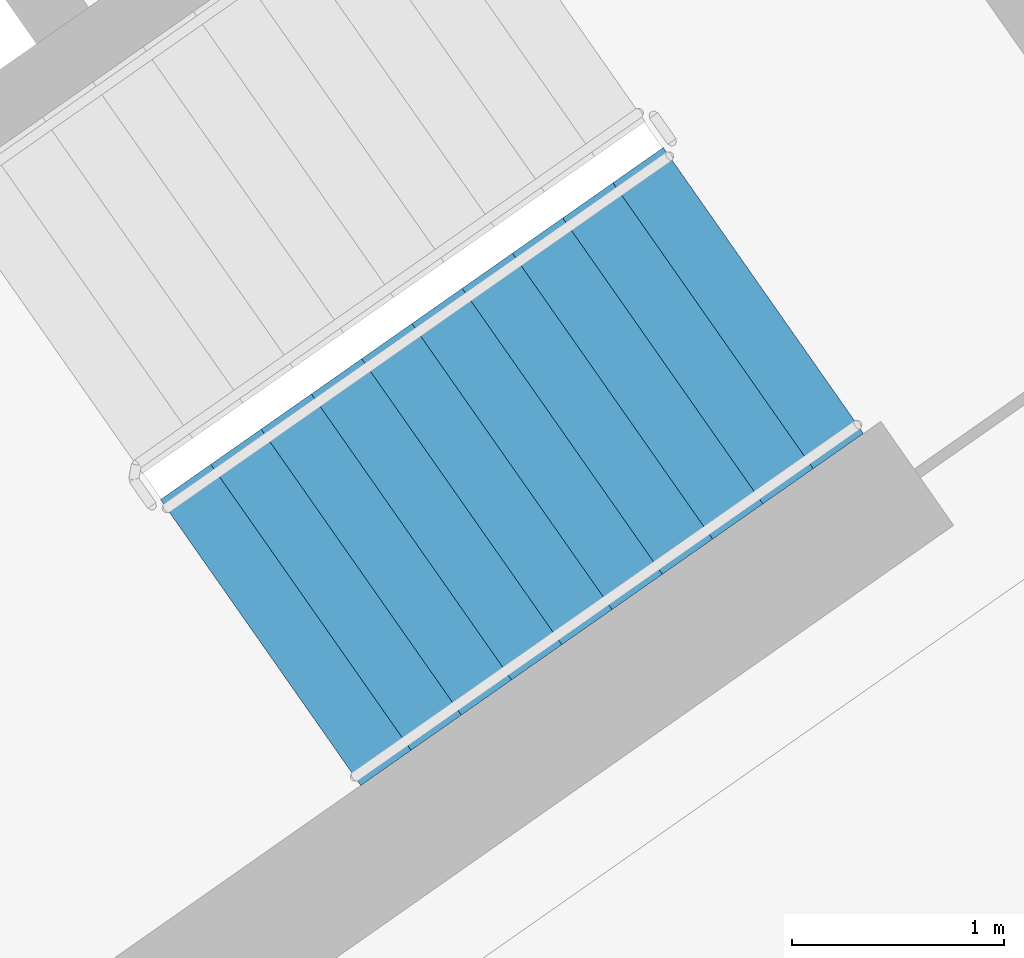
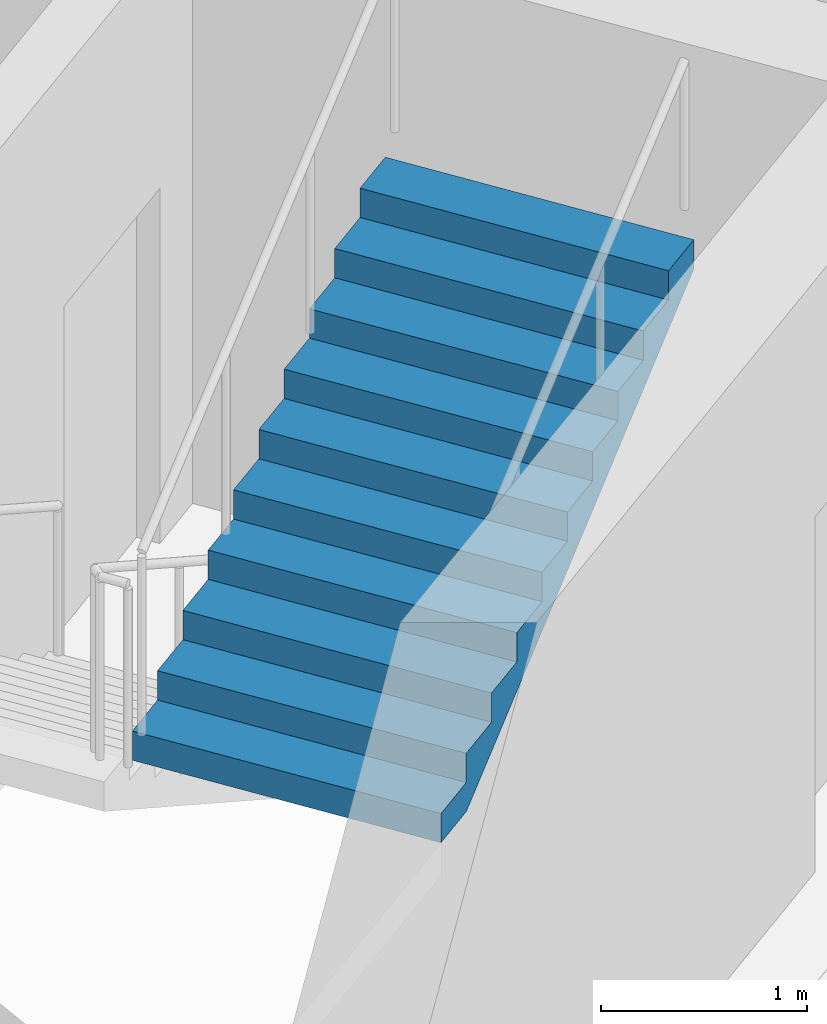
# One storey, part 14 of 27: 1 stair flight, 1 element without a shape of its own.
"""IFC4 building model written with IfcOpenShell, lengths in metres."""

from ifc_helpers import new_model, si_unit, direction, frame, origin, place, context, subcontext, project, spatial, faceted_brep, material, type_object, element, aggregate, save


model = new_model("IFC4")

# Units and contexts
model_context = context("Model", 3, precision=1e-05, world=origin(), true_north=direction((0.0, 1.0)))
body_context = subcontext(model_context, "Body", "Model", "MODEL_VIEW")
ifc_project = project(units=[si_unit("LENGTHUNIT", "METRE"), si_unit("AREAUNIT", "SQUARE_METRE"), si_unit("VOLUMEUNIT", "CUBIC_METRE"), si_unit("PLANEANGLEUNIT", "RADIAN"), si_unit("MASSUNIT", "GRAM", prefix="KILO")], contexts=[model_context])

# Site, building, storey
site_placement = place(None, origin())
site = spatial("IfcSite", under=ifc_project, at=site_placement, CompositionType="ELEMENT")
building_placement = place(site_placement, origin())
building = spatial("IfcBuilding", under=site, at=building_placement, Name="Qamariyya Broadcast Tower", CompositionType="ELEMENT")
storey_placement = place(building_placement, frame((0.0, 0.0, 175.89990234375)))
storey = spatial("IfcBuildingStorey", under=building, at=storey_placement, Name="L41", CompositionType="ELEMENT", Elevation=175.89990234375)

# Stair, stair flight
ifc_material = material(Name="Concrete C50/60", Category="concrete")
stair_type = type_object("IfcStairType", Name="Exit stair 22 risers of 173 mm", PredefinedType="HALF_TURN_STAIR", material=ifc_material)
stair_placement = place(storey_placement, origin())
stair = element("IfcStair", 1, at=stair_placement, inside=storey, type_object=stair_type, Name="L41 Stair E1", PredefinedType="HALF_TURN_STAIR")
stair_flight_type = type_object("IfcStairFlightType", Name="Exit stair flight 11 risers of 173 mm", PredefinedType="STRAIGHT", material=ifc_material)
stair_flight_placement = place(storey_placement, frame((44.693359375, -58.64599609375, 1.900146484375), z_axis=(0.0, 0.0, 1.0), x_axis=(0.819152044289, 0.573576436351, 0.0)))
stair_flight = element("IfcStairFlight", 2, at=stair_flight_placement, type_object=stair_flight_type, Name="ST-E1 flight 2", NumberOfRisers=11, NumberOfTreads=10, PredefinedType="STRAIGHT", RiserHeight=0.172727273, TreadLength=0.29, context=body_context, shape_type="Brep", body=[
    faceted_brep([(0.0, 0.824951171875, 0.0), (0.0, 0.824951171875, 0.172607421875), (0.2900390625, 0.824951171875, 0.172607421875), (0.2900390625, 0.824951171875, 0.345458984375), (0.580078125, 0.824951171875, 0.345458984375), (0.580078125, 0.824951171875, 0.51806640625), (0.8701171875, 0.824951171875, 0.51806640625), (0.8701171875, 0.824951171875, 0.69091796875), (1.159912109375, 0.824951171875, 0.69091796875), (1.159912109375, 0.824951171875, 0.863525390625), (1.449951171875, 0.824951171875, 0.863525390625), (1.449951171875, 0.824951171875, 1.036376953125), (1.739990234375, 0.824951171875, 1.036376953125), (1.739990234375, 0.824951171875, 1.208984375), (2.030029296875, 0.824951171875, 1.208984375), (2.030029296875, 0.824951171875, 1.3818359375), (2.320068359375, 0.824951171875, 1.3818359375), (2.320068359375, 0.824951171875, 1.554443359375), (2.610107421875, 0.824951171875, 1.554443359375), (2.610107421875, 0.824951171875, 1.727294921875), (2.89990234375, 0.824951171875, 1.727294921875), (2.89990234375, 0.824951171875, 1.552734375), (0.29296875, 0.824951171875, 0.0), (0.29296875, -0.824951171875, 0.0), (2.89990234375, -0.824951171875, 1.552734375), (2.89990234375, -0.824951171875, 1.727294921875), (2.610107421875, -0.824951171875, 1.727294921875), (2.610107421875, -0.824951171875, 1.554443359375), (2.320068359375, -0.824951171875, 1.554443359375), (2.320068359375, -0.824951171875, 1.3818359375), (2.030029296875, -0.824951171875, 1.3818359375), (2.030029296875, -0.824951171875, 1.208984375), (1.739990234375, -0.824951171875, 1.208984375), (1.739990234375, -0.824951171875, 1.036376953125), (1.449951171875, -0.824951171875, 1.036376953125), (1.449951171875, -0.824951171875, 0.863525390625), (1.159912109375, -0.824951171875, 0.863525390625), (1.159912109375, -0.824951171875, 0.69091796875), (0.8701171875, -0.824951171875, 0.69091796875), (0.8701171875, -0.824951171875, 0.51806640625), (0.580078125, -0.824951171875, 0.51806640625), (0.580078125, -0.824951171875, 0.345458984375), (0.2900390625, -0.824951171875, 0.345458984375), (0.2900390625, -0.824951171875, 0.172607421875), (0.0, -0.824951171875, 0.172607421875), (0.0, -0.824951171875, 0.0), (0.0, 0.10009765625, 0.0), (0.0, 0.086669921875, 0.0), (0.0, 0.0732421875, 0.0), (0.0, 0.06005859375, 0.0), (0.0, 0.046630859375, 0.0), (0.0, 0.033447265625, 0.0), (0.0, 0.02001953125, 0.0), (0.0, 0.006591796875, 0.0), (0.0, -0.006591796875, 0.0), (0.0, -0.02001953125, 0.0), (0.0, -0.033447265625, 0.0), (0.0, -0.046630859375, 0.0), (0.0, -0.06005859375, 0.0), (0.0, -0.0732421875, 0.0), (0.0, -0.086669921875, 0.0), (0.0, -0.10009765625, 0.0), (0.0, -0.10009765625, 0.172607421875), (0.0, -0.086669921875, 0.172607421875), (0.0, -0.0732421875, 0.172607421875), (0.0, -0.06005859375, 0.172607421875), (0.0, -0.046630859375, 0.172607421875), (0.0, -0.033447265625, 0.172607421875), (0.0, -0.02001953125, 0.172607421875), (0.0, -0.006591796875, 0.172607421875), (0.0, 0.006591796875, 0.172607421875), (0.0, 0.02001953125, 0.172607421875), (0.0, 0.033447265625, 0.172607421875), (0.0, 0.046630859375, 0.172607421875), (0.0, 0.06005859375, 0.172607421875), (0.0, 0.0732421875, 0.172607421875), (0.0, 0.086669921875, 0.172607421875), (0.0, 0.10009765625, 0.172607421875), (0.2900390625, -0.10009765625, 0.172607421875), (0.2900390625, -0.086669921875, 0.172607421875), (0.2900390625, -0.0732421875, 0.172607421875), (0.2900390625, -0.06005859375, 0.172607421875), (0.2900390625, -0.046630859375, 0.172607421875), (0.2900390625, -0.033447265625, 0.172607421875), (0.2900390625, -0.02001953125, 0.172607421875), (0.2900390625, -0.006591796875, 0.172607421875), (0.2900390625, 0.006591796875, 0.172607421875), (0.2900390625, 0.02001953125, 0.172607421875), (0.2900390625, 0.033447265625, 0.172607421875), (0.2900390625, 0.046630859375, 0.172607421875), (0.2900390625, 0.06005859375, 0.172607421875), (0.2900390625, 0.0732421875, 0.172607421875), (0.2900390625, 0.086669921875, 0.172607421875), (0.2900390625, 0.10009765625, 0.172607421875), (0.2900390625, -0.10009765625, 0.345458984375), (0.2900390625, -0.086669921875, 0.345458984375), (0.2900390625, -0.0732421875, 0.345458984375), (0.2900390625, -0.06005859375, 0.345458984375), (0.2900390625, -0.046630859375, 0.345458984375), (0.2900390625, -0.033447265625, 0.345458984375), (0.2900390625, -0.02001953125, 0.345458984375), (0.2900390625, -0.006591796875, 0.345458984375), (0.2900390625, 0.006591796875, 0.345458984375), (0.2900390625, 0.02001953125, 0.345458984375), (0.2900390625, 0.033447265625, 0.345458984375), (0.2900390625, 0.046630859375, 0.345458984375), (0.2900390625, 0.06005859375, 0.345458984375), (0.2900390625, 0.0732421875, 0.345458984375), (0.2900390625, 0.086669921875, 0.345458984375), (0.2900390625, 0.10009765625, 0.345458984375), (0.580078125, -0.10009765625, 0.345458984375), (0.580078125, -0.086669921875, 0.345458984375), (0.580078125, -0.0732421875, 0.345458984375), (0.580078125, -0.06005859375, 0.345458984375), (0.580078125, -0.046630859375, 0.345458984375), (0.580078125, -0.033447265625, 0.345458984375), (0.580078125, -0.02001953125, 0.345458984375), (0.580078125, -0.006591796875, 0.345458984375), (0.580078125, 0.006591796875, 0.345458984375), (0.580078125, 0.02001953125, 0.345458984375), (0.580078125, 0.033447265625, 0.345458984375), (0.580078125, 0.046630859375, 0.345458984375), (0.580078125, 0.06005859375, 0.345458984375), (0.580078125, 0.0732421875, 0.345458984375), (0.580078125, 0.086669921875, 0.345458984375), (0.580078125, 0.10009765625, 0.345458984375), (0.580078125, -0.10009765625, 0.51806640625), (0.580078125, -0.086669921875, 0.51806640625), (0.580078125, -0.0732421875, 0.51806640625), (0.580078125, -0.06005859375, 0.51806640625), (0.580078125, -0.046630859375, 0.51806640625), (0.580078125, -0.033447265625, 0.51806640625), (0.580078125, -0.02001953125, 0.51806640625), (0.580078125, -0.006591796875, 0.51806640625), (0.580078125, 0.006591796875, 0.51806640625), (0.580078125, 0.02001953125, 0.51806640625), (0.580078125, 0.033447265625, 0.51806640625), (0.580078125, 0.046630859375, 0.51806640625), (0.580078125, 0.06005859375, 0.51806640625), (0.580078125, 0.0732421875, 0.51806640625), (0.580078125, 0.086669921875, 0.51806640625), (0.580078125, 0.10009765625, 0.51806640625), (0.8701171875, -0.10009765625, 0.51806640625), (0.8701171875, -0.086669921875, 0.51806640625), (0.8701171875, -0.0732421875, 0.51806640625), (0.8701171875, -0.06005859375, 0.51806640625), (0.8701171875, -0.046630859375, 0.51806640625), (0.8701171875, -0.033447265625, 0.51806640625), (0.8701171875, -0.02001953125, 0.51806640625), (0.8701171875, -0.006591796875, 0.51806640625), (0.8701171875, 0.006591796875, 0.51806640625), (0.8701171875, 0.02001953125, 0.51806640625), (0.8701171875, 0.033447265625, 0.51806640625), (0.8701171875, 0.046630859375, 0.51806640625), (0.8701171875, 0.06005859375, 0.51806640625), (0.8701171875, 0.0732421875, 0.51806640625), (0.8701171875, 0.086669921875, 0.51806640625), (0.8701171875, 0.10009765625, 0.51806640625), (0.8701171875, -0.10009765625, 0.69091796875), (0.8701171875, -0.086669921875, 0.69091796875), (0.8701171875, -0.0732421875, 0.69091796875), (0.8701171875, -0.06005859375, 0.69091796875), (0.8701171875, -0.046630859375, 0.69091796875), (0.8701171875, -0.033447265625, 0.69091796875), (0.8701171875, -0.02001953125, 0.69091796875), (0.8701171875, -0.006591796875, 0.69091796875), (0.8701171875, 0.006591796875, 0.69091796875), (0.8701171875, 0.02001953125, 0.69091796875), (0.8701171875, 0.033447265625, 0.69091796875), (0.8701171875, 0.046630859375, 0.69091796875), (0.8701171875, 0.06005859375, 0.69091796875), (0.8701171875, 0.0732421875, 0.69091796875), (0.8701171875, 0.086669921875, 0.69091796875), (0.8701171875, 0.10009765625, 0.69091796875), (1.159912109375, -0.10009765625, 0.69091796875), (1.159912109375, -0.086669921875, 0.69091796875), (1.159912109375, -0.0732421875, 0.69091796875), (1.159912109375, -0.06005859375, 0.69091796875), (1.159912109375, -0.046630859375, 0.69091796875), (1.159912109375, -0.033447265625, 0.69091796875), (1.159912109375, -0.02001953125, 0.69091796875), (1.159912109375, -0.006591796875, 0.69091796875), (1.159912109375, 0.006591796875, 0.69091796875), (1.159912109375, 0.02001953125, 0.69091796875), (1.159912109375, 0.033447265625, 0.69091796875), (1.159912109375, 0.046630859375, 0.69091796875), (1.159912109375, 0.06005859375, 0.69091796875), (1.159912109375, 0.0732421875, 0.69091796875), (1.159912109375, 0.086669921875, 0.69091796875), (1.159912109375, 0.10009765625, 0.69091796875), (1.159912109375, -0.10009765625, 0.863525390625), (1.159912109375, -0.086669921875, 0.863525390625), (1.159912109375, -0.0732421875, 0.863525390625), (1.159912109375, -0.06005859375, 0.863525390625), (1.159912109375, -0.046630859375, 0.863525390625), (1.159912109375, -0.033447265625, 0.863525390625), (1.159912109375, -0.02001953125, 0.863525390625), (1.159912109375, -0.006591796875, 0.863525390625), (1.159912109375, 0.006591796875, 0.863525390625), (1.159912109375, 0.02001953125, 0.863525390625), (1.159912109375, 0.033447265625, 0.863525390625), (1.159912109375, 0.046630859375, 0.863525390625), (1.159912109375, 0.06005859375, 0.863525390625), (1.159912109375, 0.0732421875, 0.863525390625), (1.159912109375, 0.086669921875, 0.863525390625), (1.159912109375, 0.10009765625, 0.863525390625), (1.449951171875, -0.10009765625, 0.863525390625), (1.449951171875, -0.086669921875, 0.863525390625), (1.449951171875, -0.0732421875, 0.863525390625), (1.449951171875, -0.06005859375, 0.863525390625), (1.449951171875, -0.046630859375, 0.863525390625), (1.449951171875, -0.033447265625, 0.863525390625), (1.449951171875, -0.02001953125, 0.863525390625), (1.449951171875, -0.006591796875, 0.863525390625), (1.449951171875, 0.006591796875, 0.863525390625), (1.449951171875, 0.02001953125, 0.863525390625), (1.449951171875, 0.033447265625, 0.863525390625), (1.449951171875, 0.046630859375, 0.863525390625), (1.449951171875, 0.06005859375, 0.863525390625), (1.449951171875, 0.0732421875, 0.863525390625), (1.449951171875, 0.086669921875, 0.863525390625), (1.449951171875, 0.10009765625, 0.863525390625), (1.449951171875, -0.10009765625, 1.036376953125), (1.449951171875, -0.086669921875, 1.036376953125), (1.449951171875, -0.0732421875, 1.036376953125), (1.449951171875, -0.06005859375, 1.036376953125), (1.449951171875, -0.046630859375, 1.036376953125), (1.449951171875, -0.033447265625, 1.036376953125), (1.449951171875, -0.02001953125, 1.036376953125), (1.449951171875, -0.006591796875, 1.036376953125), (1.449951171875, 0.006591796875, 1.036376953125), (1.449951171875, 0.02001953125, 1.036376953125), (1.449951171875, 0.033447265625, 1.036376953125), (1.449951171875, 0.046630859375, 1.036376953125), (1.449951171875, 0.06005859375, 1.036376953125), (1.449951171875, 0.0732421875, 1.036376953125), (1.449951171875, 0.086669921875, 1.036376953125), (1.449951171875, 0.10009765625, 1.036376953125), (1.739990234375, -0.10009765625, 1.036376953125), (1.739990234375, -0.086669921875, 1.036376953125), (1.739990234375, -0.0732421875, 1.036376953125), (1.739990234375, -0.06005859375, 1.036376953125), (1.739990234375, -0.046630859375, 1.036376953125), (1.739990234375, -0.033447265625, 1.036376953125), (1.739990234375, -0.02001953125, 1.036376953125), (1.739990234375, -0.006591796875, 1.036376953125), (1.739990234375, 0.006591796875, 1.036376953125), (1.739990234375, 0.02001953125, 1.036376953125), (1.739990234375, 0.033447265625, 1.036376953125), (1.739990234375, 0.046630859375, 1.036376953125), (1.739990234375, 0.06005859375, 1.036376953125), (1.739990234375, 0.0732421875, 1.036376953125), (1.739990234375, 0.086669921875, 1.036376953125), (1.739990234375, 0.10009765625, 1.036376953125), (1.739990234375, -0.10009765625, 1.208984375), (1.739990234375, -0.086669921875, 1.208984375), (1.739990234375, -0.0732421875, 1.208984375), (1.739990234375, -0.06005859375, 1.208984375), (1.739990234375, -0.046630859375, 1.208984375), (1.739990234375, -0.033447265625, 1.208984375), (1.739990234375, -0.02001953125, 1.208984375), (1.739990234375, -0.006591796875, 1.208984375), (1.739990234375, 0.006591796875, 1.208984375), (1.739990234375, 0.02001953125, 1.208984375), (1.739990234375, 0.033447265625, 1.208984375), (1.739990234375, 0.046630859375, 1.208984375), (1.739990234375, 0.06005859375, 1.208984375), (1.739990234375, 0.0732421875, 1.208984375), (1.739990234375, 0.086669921875, 1.208984375), (1.739990234375, 0.10009765625, 1.208984375), (2.030029296875, -0.10009765625, 1.208984375), (2.030029296875, -0.086669921875, 1.208984375), (2.030029296875, -0.0732421875, 1.208984375), (2.030029296875, -0.06005859375, 1.208984375), (2.030029296875, -0.046630859375, 1.208984375), (2.030029296875, -0.033447265625, 1.208984375), (2.030029296875, -0.02001953125, 1.208984375), (2.030029296875, -0.006591796875, 1.208984375), (2.030029296875, 0.006591796875, 1.208984375), (2.030029296875, 0.02001953125, 1.208984375), (2.030029296875, 0.033447265625, 1.208984375), (2.030029296875, 0.046630859375, 1.208984375), (2.030029296875, 0.06005859375, 1.208984375), (2.030029296875, 0.0732421875, 1.208984375), (2.030029296875, 0.086669921875, 1.208984375), (2.030029296875, 0.10009765625, 1.208984375), (2.030029296875, -0.10009765625, 1.3818359375), (2.030029296875, -0.086669921875, 1.3818359375), (2.030029296875, -0.0732421875, 1.3818359375), (2.030029296875, -0.06005859375, 1.3818359375), (2.030029296875, -0.046630859375, 1.3818359375), (2.030029296875, -0.033447265625, 1.3818359375), (2.030029296875, -0.02001953125, 1.3818359375), (2.030029296875, -0.006591796875, 1.3818359375), (2.030029296875, 0.006591796875, 1.3818359375), (2.030029296875, 0.02001953125, 1.3818359375), (2.030029296875, 0.033447265625, 1.3818359375), (2.030029296875, 0.046630859375, 1.3818359375), (2.030029296875, 0.06005859375, 1.3818359375), (2.030029296875, 0.0732421875, 1.3818359375), (2.030029296875, 0.086669921875, 1.3818359375), (2.030029296875, 0.10009765625, 1.3818359375), (2.320068359375, -0.10009765625, 1.3818359375), (2.320068359375, -0.086669921875, 1.3818359375), (2.320068359375, -0.0732421875, 1.3818359375), (2.320068359375, -0.06005859375, 1.3818359375), (2.320068359375, -0.046630859375, 1.3818359375), (2.320068359375, -0.033447265625, 1.3818359375), (2.320068359375, -0.02001953125, 1.3818359375), (2.320068359375, -0.006591796875, 1.3818359375), (2.320068359375, 0.006591796875, 1.3818359375), (2.320068359375, 0.02001953125, 1.3818359375), (2.320068359375, 0.033447265625, 1.3818359375), (2.320068359375, 0.046630859375, 1.3818359375), (2.320068359375, 0.06005859375, 1.3818359375), (2.320068359375, 0.0732421875, 1.3818359375), (2.320068359375, 0.086669921875, 1.3818359375), (2.320068359375, 0.10009765625, 1.3818359375), (2.320068359375, -0.10009765625, 1.554443359375), (2.320068359375, -0.086669921875, 1.554443359375), (2.320068359375, -0.0732421875, 1.554443359375), (2.320068359375, -0.06005859375, 1.554443359375), (2.320068359375, -0.046630859375, 1.554443359375), (2.320068359375, -0.033447265625, 1.554443359375), (2.320068359375, -0.02001953125, 1.554443359375), (2.320068359375, -0.006591796875, 1.554443359375), (2.320068359375, 0.006591796875, 1.554443359375), (2.320068359375, 0.02001953125, 1.554443359375), (2.320068359375, 0.033447265625, 1.554443359375), (2.320068359375, 0.046630859375, 1.554443359375), (2.320068359375, 0.06005859375, 1.554443359375), (2.320068359375, 0.0732421875, 1.554443359375), (2.320068359375, 0.086669921875, 1.554443359375), (2.320068359375, 0.10009765625, 1.554443359375), (2.610107421875, -0.10009765625, 1.554443359375), (2.610107421875, -0.086669921875, 1.554443359375), (2.610107421875, -0.0732421875, 1.554443359375), (2.610107421875, -0.06005859375, 1.554443359375), (2.610107421875, -0.046630859375, 1.554443359375), (2.610107421875, -0.033447265625, 1.554443359375), (2.610107421875, -0.02001953125, 1.554443359375), (2.610107421875, -0.006591796875, 1.554443359375), (2.610107421875, 0.006591796875, 1.554443359375), (2.610107421875, 0.02001953125, 1.554443359375), (2.610107421875, 0.033447265625, 1.554443359375), (2.610107421875, 0.046630859375, 1.554443359375), (2.610107421875, 0.06005859375, 1.554443359375), (2.610107421875, 0.0732421875, 1.554443359375), (2.610107421875, 0.086669921875, 1.554443359375), (2.610107421875, 0.10009765625, 1.554443359375), (2.610107421875, -0.10009765625, 1.727294921875), (2.610107421875, -0.086669921875, 1.727294921875), (2.610107421875, -0.0732421875, 1.727294921875), (2.610107421875, -0.06005859375, 1.727294921875), (2.610107421875, -0.046630859375, 1.727294921875), (2.610107421875, -0.033447265625, 1.727294921875), (2.610107421875, -0.02001953125, 1.727294921875), (2.610107421875, -0.006591796875, 1.727294921875), (2.610107421875, 0.006591796875, 1.727294921875), (2.610107421875, 0.02001953125, 1.727294921875), (2.610107421875, 0.033447265625, 1.727294921875), (2.610107421875, 0.046630859375, 1.727294921875), (2.610107421875, 0.06005859375, 1.727294921875), (2.610107421875, 0.0732421875, 1.727294921875), (2.610107421875, 0.086669921875, 1.727294921875), (2.610107421875, 0.10009765625, 1.727294921875), (2.89990234375, -0.10009765625, 1.727294921875), (2.89990234375, -0.086669921875, 1.727294921875), (2.89990234375, -0.0732421875, 1.727294921875), (2.89990234375, -0.06005859375, 1.727294921875), (2.89990234375, -0.046630859375, 1.727294921875), (2.89990234375, -0.033447265625, 1.727294921875), (2.89990234375, -0.02001953125, 1.727294921875), (2.89990234375, -0.006591796875, 1.727294921875), (2.89990234375, 0.006591796875, 1.727294921875), (2.89990234375, 0.02001953125, 1.727294921875), (2.89990234375, 0.033447265625, 1.727294921875), (2.89990234375, 0.046630859375, 1.727294921875), (2.89990234375, 0.06005859375, 1.727294921875), (2.89990234375, 0.0732421875, 1.727294921875), (2.89990234375, 0.086669921875, 1.727294921875), (2.89990234375, 0.10009765625, 1.727294921875), (2.89990234375, -0.10009765625, 1.552734375), (2.89990234375, -0.086669921875, 1.552734375), (2.89990234375, -0.0732421875, 1.552734375), (2.89990234375, -0.06005859375, 1.552734375), (2.89990234375, -0.046630859375, 1.552734375), (2.89990234375, -0.033447265625, 1.552734375), (2.89990234375, -0.02001953125, 1.552734375), (2.89990234375, -0.006591796875, 1.552734375), (2.89990234375, 0.006591796875, 1.552734375), (2.89990234375, 0.02001953125, 1.552734375), (2.89990234375, 0.033447265625, 1.552734375), (2.89990234375, 0.046630859375, 1.552734375), (2.89990234375, 0.06005859375, 1.552734375), (2.89990234375, 0.0732421875, 1.552734375), (2.89990234375, 0.086669921875, 1.552734375), (2.89990234375, 0.10009765625, 1.552734375), (0.29296875, -0.10009765625, 0.0), (0.29296875, -0.086669921875, 0.0), (0.29296875, -0.0732421875, 0.0), (0.29296875, -0.06005859375, 0.0), (0.29296875, -0.046630859375, 0.0), (0.29296875, -0.033447265625, 0.0), (0.29296875, -0.02001953125, 0.0), (0.29296875, -0.006591796875, 0.0), (0.29296875, 0.006591796875, 0.0), (0.29296875, 0.02001953125, 0.0), (0.29296875, 0.033447265625, 0.0), (0.29296875, 0.046630859375, 0.0), (0.29296875, 0.06005859375, 0.0), (0.29296875, 0.0732421875, 0.0), (0.29296875, 0.086669921875, 0.0), (0.29296875, 0.10009765625, 0.0)], [[[0, 1, 2, 3, 4, 5, 6, 7, 8, 9, 10, 11, 12, 13, 14, 15, 16, 17, 18, 19, 20, 21, 22]], [[23, 24, 25, 26, 27, 28, 29, 30, 31, 32, 33, 34, 35, 36, 37, 38, 39, 40, 41, 42, 43, 44, 45]], [[0, 46, 47, 48, 49, 50, 51, 52, 53, 54, 55, 56, 57, 58, 59, 60, 61, 45, 44, 62, 63, 64, 65, 66, 67, 68, 69, 70, 71, 72, 73, 74, 75, 76, 77, 1]], [[1, 77, 76, 75, 74, 73, 72, 71, 70, 69, 68, 67, 66, 65, 64, 63, 62, 44, 43, 78, 79, 80, 81, 82, 83, 84, 85, 86, 87, 88, 89, 90, 91, 92, 93, 2]], [[2, 93, 92, 91, 90, 89, 88, 87, 86, 85, 84, 83, 82, 81, 80, 79, 78, 43, 42, 94, 95, 96, 97, 98, 99, 100, 101, 102, 103, 104, 105, 106, 107, 108, 109, 3]], [[3, 109, 108, 107, 106, 105, 104, 103, 102, 101, 100, 99, 98, 97, 96, 95, 94, 42, 41, 110, 111, 112, 113, 114, 115, 116, 117, 118, 119, 120, 121, 122, 123, 124, 125, 4]], [[4, 125, 124, 123, 122, 121, 120, 119, 118, 117, 116, 115, 114, 113, 112, 111, 110, 41, 40, 126, 127, 128, 129, 130, 131, 132, 133, 134, 135, 136, 137, 138, 139, 140, 141, 5]], [[5, 141, 140, 139, 138, 137, 136, 135, 134, 133, 132, 131, 130, 129, 128, 127, 126, 40, 39, 142, 143, 144, 145, 146, 147, 148, 149, 150, 151, 152, 153, 154, 155, 156, 157, 6]], [[6, 157, 156, 155, 154, 153, 152, 151, 150, 149, 148, 147, 146, 145, 144, 143, 142, 39, 38, 158, 159, 160, 161, 162, 163, 164, 165, 166, 167, 168, 169, 170, 171, 172, 173, 7]], [[7, 173, 172, 171, 170, 169, 168, 167, 166, 165, 164, 163, 162, 161, 160, 159, 158, 38, 37, 174, 175, 176, 177, 178, 179, 180, 181, 182, 183, 184, 185, 186, 187, 188, 189, 8]], [[8, 189, 188, 187, 186, 185, 184, 183, 182, 181, 180, 179, 178, 177, 176, 175, 174, 37, 36, 190, 191, 192, 193, 194, 195, 196, 197, 198, 199, 200, 201, 202, 203, 204, 205, 9]], [[9, 205, 204, 203, 202, 201, 200, 199, 198, 197, 196, 195, 194, 193, 192, 191, 190, 36, 35, 206, 207, 208, 209, 210, 211, 212, 213, 214, 215, 216, 217, 218, 219, 220, 221, 10]], [[10, 221, 220, 219, 218, 217, 216, 215, 214, 213, 212, 211, 210, 209, 208, 207, 206, 35, 34, 222, 223, 224, 225, 226, 227, 228, 229, 230, 231, 232, 233, 234, 235, 236, 237, 11]], [[11, 237, 236, 235, 234, 233, 232, 231, 230, 229, 228, 227, 226, 225, 224, 223, 222, 34, 33, 238, 239, 240, 241, 242, 243, 244, 245, 246, 247, 248, 249, 250, 251, 252, 253, 12]], [[12, 253, 252, 251, 250, 249, 248, 247, 246, 245, 244, 243, 242, 241, 240, 239, 238, 33, 32, 254, 255, 256, 257, 258, 259, 260, 261, 262, 263, 264, 265, 266, 267, 268, 269, 13]], [[13, 269, 268, 267, 266, 265, 264, 263, 262, 261, 260, 259, 258, 257, 256, 255, 254, 32, 31, 270, 271, 272, 273, 274, 275, 276, 277, 278, 279, 280, 281, 282, 283, 284, 285, 14]], [[14, 285, 284, 283, 282, 281, 280, 279, 278, 277, 276, 275, 274, 273, 272, 271, 270, 31, 30, 286, 287, 288, 289, 290, 291, 292, 293, 294, 295, 296, 297, 298, 299, 300, 301, 15]], [[15, 301, 300, 299, 298, 297, 296, 295, 294, 293, 292, 291, 290, 289, 288, 287, 286, 30, 29, 302, 303, 304, 305, 306, 307, 308, 309, 310, 311, 312, 313, 314, 315, 316, 317, 16]], [[16, 317, 316, 315, 314, 313, 312, 311, 310, 309, 308, 307, 306, 305, 304, 303, 302, 29, 28, 318, 319, 320, 321, 322, 323, 324, 325, 326, 327, 328, 329, 330, 331, 332, 333, 17]], [[17, 333, 332, 331, 330, 329, 328, 327, 326, 325, 324, 323, 322, 321, 320, 319, 318, 28, 27, 334, 335, 336, 337, 338, 339, 340, 341, 342, 343, 344, 345, 346, 347, 348, 349, 18]], [[18, 349, 348, 347, 346, 345, 344, 343, 342, 341, 340, 339, 338, 337, 336, 335, 334, 27, 26, 350, 351, 352, 353, 354, 355, 356, 357, 358, 359, 360, 361, 362, 363, 364, 365, 19]], [[19, 365, 364, 363, 362, 361, 360, 359, 358, 357, 356, 355, 354, 353, 352, 351, 350, 26, 25, 366, 367, 368, 369, 370, 371, 372, 373, 374, 375, 376, 377, 378, 379, 380, 381, 20]], [[20, 381, 380, 379, 378, 377, 376, 375, 374, 373, 372, 371, 370, 369, 368, 367, 366, 25, 24, 382, 383, 384, 385, 386, 387, 388, 389, 390, 391, 392, 393, 394, 395, 396, 397, 21]], [[21, 397, 396, 395, 394, 393, 392, 391, 390, 389, 388, 387, 386, 385, 384, 383, 382, 24, 23, 398, 399, 400, 401, 402, 403, 404, 405, 406, 407, 408, 409, 410, 411, 412, 413, 22]], [[22, 413, 412, 411, 410, 409, 408, 407, 406, 405, 404, 403, 402, 401, 400, 399, 398, 23, 45, 61, 60, 59, 58, 57, 56, 55, 54, 53, 52, 51, 50, 49, 48, 47, 46, 0]]]),
])
aggregate(stair, [stair_flight])

save(model, "model.ifc")
